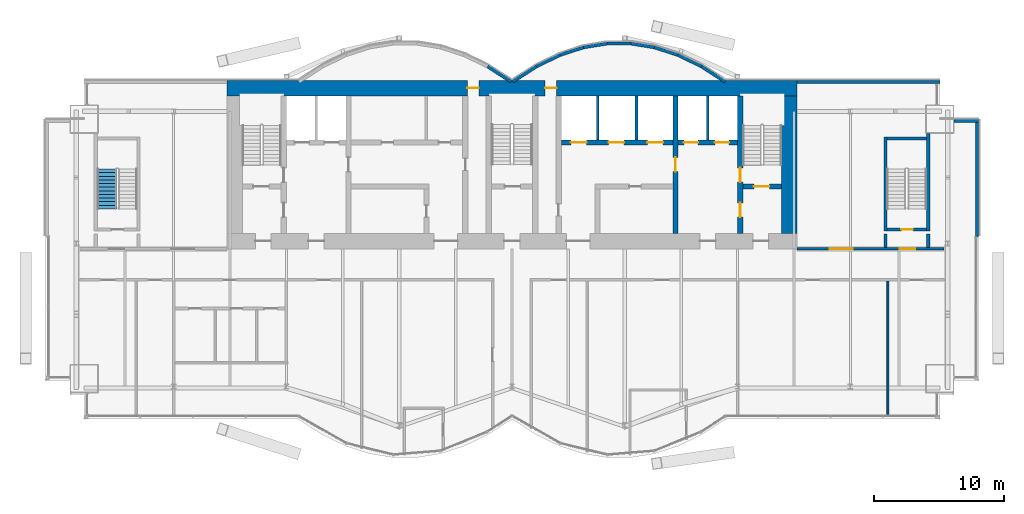
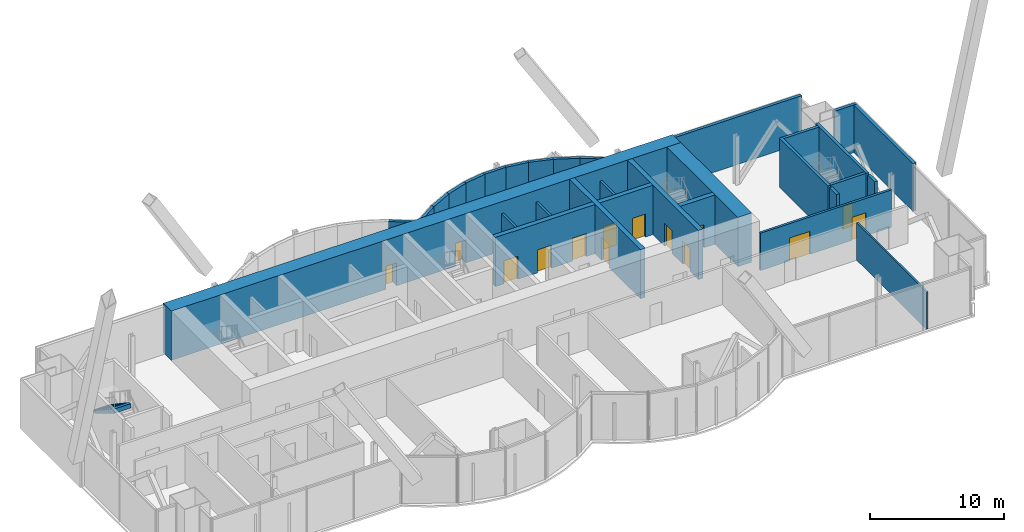
# One storey, part 18 of 22: 30 walls, 14 doors, 1 stair flight, 14 openings, 1 element without a shape of its own.
"""IFC4 building model written with IfcOpenShell, lengths in metres."""

from ifc_helpers import new_model, si_unit, direction, frame, frame_2d, origin, place, context, subcontext, project, spatial, polyline, rectangle, outline, extrude, material, layer, layer_set, layer_usage, type_object, element, fill, aggregate, save


model = new_model("IFC4")

# Units and contexts
model_context = context("Model", 3, precision=1e-05, world=origin(), true_north=direction((0.0, 1.0)))
body_context = subcontext(model_context, "Body", "Model", "MODEL_VIEW")
ifc_project = project(units=[si_unit("LENGTHUNIT", "METRE"), si_unit("AREAUNIT", "SQUARE_METRE"), si_unit("VOLUMEUNIT", "CUBIC_METRE"), si_unit("PLANEANGLEUNIT", "RADIAN"), si_unit("MASSUNIT", "GRAM", prefix="KILO")], contexts=[model_context])

# Site, building, storey
site_placement = place(None, origin())
site = spatial("IfcSite", under=ifc_project, at=site_placement, CompositionType="ELEMENT")
building_placement = place(site_placement, origin())
building = spatial("IfcBuilding", under=site, at=building_placement, Name="Bicima Exchange Tower", CompositionType="ELEMENT")
storey_placement = place(building_placement, frame((0.0, 0.0, 315.5)))
storey = spatial("IfcBuildingStorey", under=building, at=storey_placement, Name="L71", CompositionType="ELEMENT", Elevation=315.5)

# Walls
ifc_material_1 = material(Name="Gypsum board partition")
ifc_layer_1 = layer(ifc_material_1, 0.199951171875)
ifc_layer_set_1 = layer_set([ifc_layer_1], Name="Gypsum board partition")
wall_type_1 = type_object("IfcWallType", Name="Fire-rated gypsum partition 200 EI120", PredefinedType="PARTITIONING", material=ifc_layer_set_1)
for number, where, z_axis, x_axis, name in (
    (1, (6.60009765625, -4.60009765625, 0.0), (0.0, 0.0, 1.0), (0.0, 1.0, 0.0), "partition wall 18"),
    (2, (9.60009765625, -4.60009765625, 0.0), (0.0, 0.0, 1.0), (0.0, 1.0, 0.0), "partition wall 19"),
    (3, (15.10009765625, -4.60009765625, 0.0), (0.0, 0.0, 1.0), (0.0, 1.0, 0.0), "partition wall 21"),
):
    element("IfcWall", number, at=place(storey_placement, frame(where, z_axis=z_axis, x_axis=x_axis)), inside=storey, type_object=wall_type_1, Name=name, PredefinedType="PARTITIONING", context=body_context, shape_type="SweptSolid", body=[
        extrude(rectangle(XDim=3.400146484375, YDim=0.199951171875, at=frame_2d((1.7001953125, 0.0))), origin(), (0.0, 0.0, 1.0), 3.418212890625),
    ])

# Wall, openings, doors
ifc_layer_2 = layer(ifc_material_1, 0.199951171875)
ifc_layer_set_2 = layer_set([ifc_layer_2], Name="Gypsum board partition")
wall_type_2 = type_object("IfcWallType", Name="Fire-rated gypsum partition 200 EI60", PredefinedType="PARTITIONING", material=ifc_layer_set_2)
wall_1_placement = place(storey_placement, frame((22.0, -13.0, 0.0), z_axis=(0.0, 0.0, 1.0), x_axis=(1.0, 0.0, 0.0)))
wall_1 = element("IfcWall", 4, at=wall_1_placement, inside=storey, type_object=wall_type_2, Name="partition wall 8", PredefinedType="PARTITIONING", context=body_context, shape_type="SweptSolid", body=[
    extrude(rectangle(XDim=11.340087890625, YDim=0.199951171875, at=frame_2d((5.669921875, 0.0))), origin(), (0.0, 0.0, 1.0), 3.418212890625),
])
opening_1_placement = place(wall_1_placement, frame((7.89990234375, 0.0, 0.0)))
opening_1 = element("IfcOpeningElement", 5, at=opening_1_placement, cuts=wall_1, Name="Opening L71-003", PredefinedType="OPENING", context=body_context, shape_type="SweptSolid", body=[
    extrude(rectangle(XDim=1.199951171875, YDim=2.10009765625, at=frame_2d((0.60009765625, 1.050048828125))), frame((0.0, 0.11181640625, 0.0), z_axis=(0.0, -1.0, 0.0), x_axis=(1.0, 0.0, 0.0)), (0.0, 0.0, 1.0), 0.223876953125),
])
opening_2_placement = place(wall_1_placement, frame((2.5, 0.0, 0.0)))
opening_2 = element("IfcOpeningElement", 6, at=opening_2_placement, cuts=wall_1, Name="Opening L71-006", PredefinedType="OPENING", context=body_context, shape_type="SweptSolid", body=[
    extrude(rectangle(XDim=1.800048828125, YDim=2.10009765625, at=frame_2d((0.89990234375, 1.050048828125))), frame((0.0, 0.11181640625, 0.0), z_axis=(0.0, -1.0, 0.0), x_axis=(1.0, 0.0, 0.0)), (0.0, 0.0, 1.0), 0.223876953125),
])
ifc_material_2 = material(Name="Steel fire door leaf", Category="steel")
door_type_1 = type_object("IfcDoorType", Name="Door 1200 swing FD30S", OperationType="SINGLE_SWING_LEFT", PredefinedType="DOOR", material=ifc_material_2)
door_1_placement = place(opening_1_placement, origin())
door_1 = element("IfcDoor", 7, at=door_1_placement, inside=storey, type_object=door_type_1, Name="Door", OperationType="SINGLE_SWING_RIGHT", OverallHeight=2.10009765625, OverallWidth=1.199951171875, PredefinedType="DOOR", context=body_context, shape_type="SweptSolid", body=[
    extrude(rectangle(XDim=1.199951171875, YDim=2.10009765625, at=frame_2d((0.60009765625, 1.050048828125))), frame((0.0, 0.02490234375, 0.0), z_axis=(0.0, -1.0, 0.0), x_axis=(1.0, 0.0, 0.0)), (0.0, 0.0, 1.0), 0.050048828125),
])
fill(opening_1, door_1)
door_type_2 = type_object("IfcDoorType", Name="Door 1800 double swing FD30S", OperationType="DOUBLE_DOOR_SINGLE_SWING", PredefinedType="DOOR", material=ifc_material_2)
door_2_placement = place(opening_2_placement, origin())
door_2 = element("IfcDoor", 8, at=door_2_placement, inside=storey, type_object=door_type_2, Name="Door", OperationType="SINGLE_SWING_LEFT", OverallHeight=2.10009765625, OverallWidth=1.800048828125, PredefinedType="DOOR", context=body_context, shape_type="SweptSolid", body=[
    extrude(rectangle(XDim=1.800048828125, YDim=2.10009765625, at=frame_2d((0.89990234375, 1.050048828125))), frame((0.0, 0.02490234375, 0.0), z_axis=(0.0, -1.0, 0.0), x_axis=(1.0, 0.0, 0.0)), (0.0, 0.0, 1.0), 0.050048828125),
])
fill(opening_2, door_2)

# Wall
ifc_layer_3 = layer(ifc_material_1, 0.14990234375)
ifc_layer_set_3 = layer_set([ifc_layer_3], Name="Gypsum board partition")
wall_type_3 = type_object("IfcWallType", Name="Gypsum partition 150", PredefinedType="PARTITIONING", material=ifc_layer_set_3)
wall_2_placement = place(storey_placement, frame((29.0, -25.929931640625, 0.0), z_axis=(0.0, 0.0, 1.0), x_axis=(0.0, 1.0, 0.0)))
element("IfcWall", 9, at=wall_2_placement, inside=storey, type_object=wall_type_3, Name="partition wall 34", PredefinedType="PARTITIONING", context=body_context, shape_type="SweptSolid", body=[
    extrude(rectangle(XDim=10.429931640625, YDim=0.14990234375, at=frame_2d((5.21484375, 0.0))), origin(), (0.0, 0.0, 1.0), 3.418212890625),
])

# Wall, openings, doors
ifc_material_3 = material(Name="Concrete C40/50", Category="concrete")
ifc_layer_4 = layer(ifc_material_3, 1.199951171875)
ifc_layer_set_4 = layer_set([ifc_layer_4], Name="Concrete C40/50")
wall_type_4 = type_object("IfcWallType", Name="RC core wall 1200 C40/50", PredefinedType="SHEAR", material=ifc_layer_set_4)
wall_3_placement = place(storey_placement, frame((-22.0, -0.60009765625, 0.0), z_axis=(0.0, 0.0, 1.0), x_axis=(1.0, 0.0, 0.0)))
wall_3 = element("IfcWall", 10, at=wall_3_placement, inside=storey, type_object=wall_type_4, Name="Core wall north", PredefinedType="SHEAR", context=body_context, shape_type="SweptSolid", body=[
    extrude(rectangle(XDim=44.0, YDim=1.199951171875, at=frame_2d((22.0, 0.0))), origin(), (0.0, 0.0, 1.0), 4.5),
])
opening_3_placement = place(wall_3_placement, frame((18.550048828125, 0.0, 0.0)))
opening_3 = element("IfcOpeningElement", 11, at=opening_3_placement, cuts=wall_3, Name="Opening L71-C16", PredefinedType="OPENING", context=body_context, shape_type="SweptSolid", body=[
    extrude(rectangle(XDim=0.89990234375, YDim=2.10009765625, at=frame_2d((0.449951171875, 1.050048828125))), frame((0.0, 0.61181640625, 0.0), z_axis=(0.0, -1.0, 0.0), x_axis=(1.0, 0.0, 0.0)), (0.0, 0.0, 1.0), 1.223876953125),
])
opening_4_placement = place(wall_3_placement, frame((24.550048828125, 0.0, 0.0)))
opening_4 = element("IfcOpeningElement", 12, at=opening_4_placement, cuts=wall_3, Name="Opening L71-C17", PredefinedType="OPENING", context=body_context, shape_type="SweptSolid", body=[
    extrude(rectangle(XDim=0.89990234375, YDim=2.10009765625, at=frame_2d((0.449951171875, 1.050048828125))), frame((0.0, 0.61181640625, 0.0), z_axis=(0.0, -1.0, 0.0), x_axis=(1.0, 0.0, 0.0)), (0.0, 0.0, 1.0), 1.223876953125),
])
door_type_3 = type_object("IfcDoorType", Name="Door 900 swing FD30S", OperationType="SINGLE_SWING_LEFT", PredefinedType="DOOR", material=ifc_material_2)
door_3_placement = place(opening_3_placement, origin())
door_3 = element("IfcDoor", 13, at=door_3_placement, inside=storey, type_object=door_type_3, Name="Core door", OperationType="SINGLE_SWING_LEFT", OverallHeight=2.10009765625, OverallWidth=0.89990234375, PredefinedType="DOOR", context=body_context, shape_type="SweptSolid", body=[
    extrude(rectangle(XDim=0.89990234375, YDim=2.10009765625, at=frame_2d((0.449951171875, 1.050048828125))), frame((0.0, 0.02490234375, 0.0), z_axis=(0.0, -1.0, 0.0), x_axis=(1.0, 0.0, 0.0)), (0.0, 0.0, 1.0), 0.050048828125),
])
fill(opening_3, door_3)
door_4_placement = place(opening_4_placement, origin())
door_4 = element("IfcDoor", 14, at=door_4_placement, inside=storey, type_object=door_type_3, Name="Core door", OperationType="SINGLE_SWING_LEFT", OverallHeight=2.10009765625, OverallWidth=0.89990234375, PredefinedType="DOOR", context=body_context, shape_type="SweptSolid", body=[
    extrude(rectangle(XDim=0.89990234375, YDim=2.10009765625, at=frame_2d((0.449951171875, 1.050048828125))), frame((0.0, 0.02490234375, 0.0), z_axis=(0.0, -1.0, 0.0), x_axis=(1.0, 0.0, 0.0)), (0.0, 0.0, 1.0), 0.050048828125),
])
fill(opening_4, door_4)

# Walls
wall_4_placement = place(storey_placement, frame((21.39990234375, -11.800048828125, 0.0), z_axis=(0.0, 0.0, 1.0), x_axis=(0.0, 1.0, 0.0)))
element("IfcWall", 15, at=wall_4_placement, inside=storey, type_object=wall_type_4, Name="Core wall east", PredefinedType="SHEAR", context=body_context, shape_type="SweptSolid", body=[
    extrude(rectangle(XDim=10.60009765625, YDim=1.199951171875, at=frame_2d((5.300048828125, 0.0))), origin(), (0.0, 0.0, 1.0), 4.5),
])
ifc_material_4 = material(Name="Concrete C50/60", Category="concrete")
ifc_layer_5 = layer(ifc_material_4, 0.25)
ifc_layer_set_5 = layer_set([ifc_layer_5], Name="Concrete C50/60")
wall_type_5 = type_object("IfcWallType", Name="RC core wall 250 C50/60", PredefinedType="SHEAR", material=ifc_layer_set_5)
for number, where, z_axis, x_axis, name in (
    (16, (28.800048828125, -12.89990234375, 0.0), (0.0, 0.0, 1.0), (0.0, 1.0, 0.0), "stair wall 33"),
    (17, (32.10009765625, -12.89990234375, 0.0), (0.0, 0.0, 1.0), (0.0, 1.0, 0.0), "stair wall 35"),
):
    element("IfcWall", number, at=place(storey_placement, frame(where, z_axis=z_axis, x_axis=x_axis)), inside=storey, type_object=wall_type_5, Name=name, PredefinedType="SHEAR", context=body_context, shape_type="SweptSolid", body=[
        extrude(rectangle(XDim=1.0498046875, YDim=0.25, at=frame_2d((0.52490234375, 0.0))), origin(), (0.0, 0.0, 1.0), 4.5),
    ])

# Wall, openings, doors
ifc_layer_6 = layer(ifc_material_3, 0.39990234375)
ifc_layer_set_6 = layer_set([ifc_layer_6], Name="Concrete C40/50")
wall_type_6 = type_object("IfcWallType", Name="RC core wall 400 C40/50", PredefinedType="SHEAR", material=ifc_layer_set_6)
wall_5_placement = place(storey_placement, frame((3.800048828125, -4.800048828125, 0.0), z_axis=(0.0, 0.0, 1.0), x_axis=(1.0, 0.0, 0.0)))
wall_5 = element("IfcWall", 18, at=wall_5_placement, inside=storey, type_object=wall_type_6, Name="shear wall 7", PredefinedType="SHEAR", context=body_context, shape_type="SweptSolid", body=[
    extrude(rectangle(XDim=13.599853515625, YDim=0.39990234375, at=frame_2d((6.7998046875, 0.0))), origin(), (0.0, 0.0, 1.0), 4.5),
])
opening_5_placement = place(wall_5_placement, frame((0.75, 0.0, 0.0)))
opening_5 = element("IfcOpeningElement", 19, at=opening_5_placement, cuts=wall_5, Name="Opening LD-HB1-L71", PredefinedType="OPENING", context=body_context, shape_type="SweptSolid", body=[
    extrude(rectangle(XDim=1.199951171875, YDim=2.10009765625, at=frame_2d((0.60009765625, 1.050048828125))), frame((0.0, 0.2119140625, 0.0), z_axis=(0.0, -1.0, 0.0), x_axis=(1.0, 0.0, 0.0)), (0.0, 0.0, 1.0), 0.423828125),
])
opening_6_placement = place(wall_5_placement, frame((3.64990234375, 0.0, 0.0)))
opening_6 = element("IfcOpeningElement", 20, at=opening_6_placement, cuts=wall_5, Name="Opening LD-HB2-L71", PredefinedType="OPENING", context=body_context, shape_type="SweptSolid", body=[
    extrude(rectangle(XDim=1.199951171875, YDim=2.10009765625, at=frame_2d((0.60009765625, 1.050048828125))), frame((0.0, 0.2119140625, 0.0), z_axis=(0.0, -1.0, 0.0), x_axis=(1.0, 0.0, 0.0)), (0.0, 0.0, 1.0), 0.423828125),
])
opening_7_placement = place(wall_5_placement, frame((6.64990234375, 0.0, 0.0)))
opening_7 = element("IfcOpeningElement", 21, at=opening_7_placement, cuts=wall_5, Name="Opening LD-HB3-L71", PredefinedType="OPENING", context=body_context, shape_type="SweptSolid", body=[
    extrude(rectangle(XDim=1.199951171875, YDim=2.10009765625, at=frame_2d((0.60009765625, 1.050048828125))), frame((0.0, 0.2119140625, 0.0), z_axis=(0.0, -1.0, 0.0), x_axis=(1.0, 0.0, 0.0)), (0.0, 0.0, 1.0), 0.423828125),
])
opening_8_placement = place(wall_5_placement, frame((9.449951171875, 0.0, 0.0)))
opening_8 = element("IfcOpeningElement", 22, at=opening_8_placement, cuts=wall_5, Name="Opening LD-FF2-L71", PredefinedType="OPENING", context=body_context, shape_type="SweptSolid", body=[
    extrude(rectangle(XDim=1.10009765625, YDim=2.10009765625, at=frame_2d((0.550048828125, 1.050048828125))), frame((0.0, 0.2119140625, 0.0), z_axis=(0.0, -1.0, 0.0), x_axis=(1.0, 0.0, 0.0)), (0.0, 0.0, 1.0), 0.423828125),
])
opening_9_placement = place(wall_5_placement, frame((11.85009765625, 0.0, 0.0)))
opening_9 = element("IfcOpeningElement", 23, at=opening_9_placement, cuts=wall_5, Name="Opening LD-SV1-L71", PredefinedType="OPENING", context=body_context, shape_type="SweptSolid", body=[
    extrude(rectangle(XDim=1.10009765625, YDim=2.10009765625, at=frame_2d((0.550048828125, 1.050048828125))), frame((0.0, 0.2119140625, 0.0), z_axis=(0.0, -1.0, 0.0), x_axis=(1.0, 0.0, 0.0)), (0.0, 0.0, 1.0), 0.423828125),
])
ifc_material_5 = material(Name="Stainless steel", Category="steel")
door_type_4 = type_object("IfcDoorType", Name="Lift landing door 1100 sliding", OperationType="DOUBLE_DOOR_SLIDING", PredefinedType="DOOR", material=ifc_material_5)
door_5_placement = place(opening_8_placement, origin())
door_5 = element("IfcDoor", 24, at=door_5_placement, inside=storey, type_object=door_type_4, Name="Lift landing door FF2", OperationType="DOUBLE_DOOR_SLIDING", OverallHeight=2.10009765625, OverallWidth=1.10009765625, PredefinedType="DOOR", context=body_context, shape_type="SweptSolid", body=[
    extrude(rectangle(XDim=1.10009765625, YDim=2.10009765625, at=frame_2d((0.550048828125, 1.050048828125))), frame((0.0, 0.02490234375, 0.0), z_axis=(0.0, -1.0, 0.0), x_axis=(1.0, 0.0, 0.0)), (0.0, 0.0, 1.0), 0.050048828125),
])
fill(opening_8, door_5)
door_6_placement = place(opening_9_placement, origin())
door_6 = element("IfcDoor", 25, at=door_6_placement, inside=storey, type_object=door_type_4, Name="Lift landing door SV1", OperationType="DOUBLE_DOOR_SLIDING", OverallHeight=2.10009765625, OverallWidth=1.10009765625, PredefinedType="DOOR", context=body_context, shape_type="SweptSolid", body=[
    extrude(rectangle(XDim=1.10009765625, YDim=2.10009765625, at=frame_2d((0.550048828125, 1.050048828125))), frame((0.0, 0.02490234375, 0.0), z_axis=(0.0, -1.0, 0.0), x_axis=(1.0, 0.0, 0.0)), (0.0, 0.0, 1.0), 0.050048828125),
])
fill(opening_9, door_6)
door_type_5 = type_object("IfcDoorType", Name="Lift landing door 1200 sliding", OperationType="DOUBLE_DOOR_SLIDING", PredefinedType="DOOR", material=ifc_material_5)
door_7_placement = place(opening_5_placement, origin())
door_7 = element("IfcDoor", 26, at=door_7_placement, inside=storey, type_object=door_type_5, Name="Lift landing door HB1", OperationType="DOUBLE_DOOR_SLIDING", OverallHeight=2.10009765625, OverallWidth=1.199951171875, PredefinedType="DOOR", context=body_context, shape_type="SweptSolid", body=[
    extrude(rectangle(XDim=1.199951171875, YDim=2.10009765625, at=frame_2d((0.60009765625, 1.050048828125))), frame((0.0, 0.02490234375, 0.0), z_axis=(0.0, -1.0, 0.0), x_axis=(1.0, 0.0, 0.0)), (0.0, 0.0, 1.0), 0.050048828125),
])
fill(opening_5, door_7)
door_8_placement = place(opening_6_placement, origin())
door_8 = element("IfcDoor", 27, at=door_8_placement, inside=storey, type_object=door_type_5, Name="Lift landing door HB2", OperationType="DOUBLE_DOOR_SLIDING", OverallHeight=2.10009765625, OverallWidth=1.199951171875, PredefinedType="DOOR", context=body_context, shape_type="SweptSolid", body=[
    extrude(rectangle(XDim=1.199951171875, YDim=2.10009765625, at=frame_2d((0.60009765625, 1.050048828125))), frame((0.0, 0.02490234375, 0.0), z_axis=(0.0, -1.0, 0.0), x_axis=(1.0, 0.0, 0.0)), (0.0, 0.0, 1.0), 0.050048828125),
])
fill(opening_6, door_8)
door_9_placement = place(opening_7_placement, origin())
door_9 = element("IfcDoor", 28, at=door_9_placement, inside=storey, type_object=door_type_5, Name="Lift landing door HB3", OperationType="DOUBLE_DOOR_SLIDING", OverallHeight=2.10009765625, OverallWidth=1.199951171875, PredefinedType="DOOR", context=body_context, shape_type="SweptSolid", body=[
    extrude(rectangle(XDim=1.199951171875, YDim=2.10009765625, at=frame_2d((0.60009765625, 1.050048828125))), frame((0.0, 0.02490234375, 0.0), z_axis=(0.0, -1.0, 0.0), x_axis=(1.0, 0.0, 0.0)), (0.0, 0.0, 1.0), 0.050048828125),
])
fill(opening_7, door_9)

# Wall, opening, door
wall_6_placement = place(storey_placement, frame((12.60009765625, -11.800048828125, 0.0), z_axis=(0.0, 0.0, 1.0), x_axis=(0.0, 1.0, 0.0)))
wall_6 = element("IfcWall", 29, at=wall_6_placement, inside=storey, type_object=wall_type_6, Name="shear wall 20", PredefinedType="SHEAR", context=body_context, shape_type="SweptSolid", body=[
    extrude(rectangle(XDim=10.60009765625, YDim=0.39990234375, at=frame_2d((5.300048828125, 0.0))), origin(), (0.0, 0.0, 1.0), 4.5),
])
opening_10_placement = place(wall_6_placement, frame((4.75, 0.0, 0.0)))
opening_10 = element("IfcOpeningElement", 30, at=opening_10_placement, cuts=wall_6, Name="Opening L71-C09", PredefinedType="OPENING", context=body_context, shape_type="SweptSolid", body=[
    extrude(rectangle(XDim=1.10009765625, YDim=2.10009765625, at=frame_2d((0.550048828125, 1.050048828125))), frame((0.0, 0.2119140625, 0.0), z_axis=(0.0, -1.0, 0.0), x_axis=(1.0, 0.0, 0.0)), (0.0, 0.0, 1.0), 0.423828125),
])
door_type_6 = type_object("IfcDoorType", Name="Door 1100 swing FD60S", OperationType="SINGLE_SWING_LEFT", PredefinedType="DOOR", material=ifc_material_2)
door_10_placement = place(opening_10_placement, frame((1.10009765625, 0.0, 0.0), z_axis=(0.0, 0.0, 1.0), x_axis=(-1.0, 0.0, 0.0)))
door_10 = element("IfcDoor", 31, at=door_10_placement, inside=storey, type_object=door_type_6, Name="Core door", OperationType="SINGLE_SWING_RIGHT", OverallHeight=2.10009765625, OverallWidth=1.10009765625, PredefinedType="DOOR", context=body_context, shape_type="SweptSolid", body=[
    extrude(rectangle(XDim=1.10009765625, YDim=2.10009765625, at=frame_2d((0.550048828125, 1.050048828125))), frame((0.0, 0.02490234375, 0.0), z_axis=(0.0, -1.0, 0.0), x_axis=(1.0, 0.0, 0.0)), (0.0, 0.0, 1.0), 0.050048828125),
])
fill(opening_10, door_10)

ifc_layer_7 = layer(ifc_material_4, 0.39990234375)
ifc_layer_set_7 = layer_set([ifc_layer_7], Name="Concrete C50/60")
wall_type_7 = type_object("IfcWallType", Name="RC core wall 400 C50/60", PredefinedType="SHEAR", material=ifc_layer_set_7)
wall_7_placement = place(storey_placement, frame((17.800048828125, -8.199951171875, 0.0), z_axis=(0.0, 0.0, 1.0), x_axis=(1.0, 0.0, 0.0)))
wall_7 = element("IfcWall", 32, at=wall_7_placement, inside=storey, type_object=wall_type_7, Name="stair wall 5", PredefinedType="SHEAR", context=body_context, shape_type="SweptSolid", body=[
    extrude(rectangle(XDim=3.0, YDim=0.39990234375, at=frame_2d((1.5, 0.0))), origin(), (0.0, 0.0, 1.0), 4.5),
])
opening_11_placement = place(wall_7_placement, frame((0.85009765625, 0.0, 0.0)))
opening_11 = element("IfcOpeningElement", 33, at=opening_11_placement, cuts=wall_7, Name="Opening L71-C04", PredefinedType="OPENING", context=body_context, shape_type="SweptSolid", body=[
    extrude(rectangle(XDim=1.199951171875, YDim=2.10009765625, at=frame_2d((0.60009765625, 1.050048828125))), frame((0.0, 0.2119140625, 0.0), z_axis=(0.0, -1.0, 0.0), x_axis=(1.0, 0.0, 0.0)), (0.0, 0.0, 1.0), 0.423828125),
])
door_type_7 = type_object("IfcDoorType", Name="Door 1200 swing FD60S", OperationType="SINGLE_SWING_LEFT", PredefinedType="DOOR", material=ifc_material_2)
door_11_placement = place(opening_11_placement, origin())
door_11 = element("IfcDoor", 34, at=door_11_placement, inside=storey, type_object=door_type_7, Name="Core door", OperationType="SINGLE_SWING_RIGHT", OverallHeight=2.10009765625, OverallWidth=1.199951171875, PredefinedType="DOOR", context=body_context, shape_type="SweptSolid", body=[
    extrude(rectangle(XDim=1.199951171875, YDim=2.10009765625, at=frame_2d((0.60009765625, 1.050048828125))), frame((0.0, 0.02490234375, 0.0), z_axis=(0.0, -1.0, 0.0), x_axis=(1.0, 0.0, 0.0)), (0.0, 0.0, 1.0), 0.050048828125),
])
fill(opening_11, door_11)

# Wall, openings, doors
wall_8_placement = place(storey_placement, frame((17.60009765625, -11.800048828125, 0.0), z_axis=(0.0, 0.0, 1.0), x_axis=(0.0, 1.0, 0.0)))
wall_8 = element("IfcWall", 35, at=wall_8_placement, inside=storey, type_object=wall_type_7, Name="stair wall 22", PredefinedType="SHEAR", context=body_context, shape_type="SweptSolid", body=[
    extrude(rectangle(XDim=10.60009765625, YDim=0.39990234375, at=frame_2d((5.300048828125, 0.0))), origin(), (0.0, 0.0, 1.0), 4.5),
])
opening_12_placement = place(wall_8_placement, frame((1.25, 0.0, 0.0)))
opening_12 = element("IfcOpeningElement", 36, at=opening_12_placement, cuts=wall_8, Name="Opening L71-C05", PredefinedType="OPENING", context=body_context, shape_type="SweptSolid", body=[
    extrude(rectangle(XDim=1.10009765625, YDim=2.10009765625, at=frame_2d((0.550048828125, 1.050048828125))), frame((0.0, 0.2119140625, 0.0), z_axis=(0.0, -1.0, 0.0), x_axis=(1.0, 0.0, 0.0)), (0.0, 0.0, 1.0), 0.423828125),
])
opening_13_placement = place(wall_8_placement, frame((3.949951171875, 0.0, 0.0)))
opening_13 = element("IfcOpeningElement", 37, at=opening_13_placement, cuts=wall_8, Name="Opening L71-C08", PredefinedType="OPENING", context=body_context, shape_type="SweptSolid", body=[
    extrude(rectangle(XDim=1.10009765625, YDim=2.10009765625, at=frame_2d((0.550048828125, 1.050048828125))), frame((0.0, 0.2119140625, 0.0), z_axis=(0.0, -1.0, 0.0), x_axis=(1.0, 0.0, 0.0)), (0.0, 0.0, 1.0), 0.423828125),
])
door_12_placement = place(opening_12_placement, origin())
door_12 = element("IfcDoor", 38, at=door_12_placement, inside=storey, type_object=door_type_6, Name="Core door", OperationType="SINGLE_SWING_LEFT", OverallHeight=2.10009765625, OverallWidth=1.10009765625, PredefinedType="DOOR", context=body_context, shape_type="SweptSolid", body=[
    extrude(rectangle(XDim=1.10009765625, YDim=2.10009765625, at=frame_2d((0.550048828125, 1.050048828125))), frame((0.0, 0.02490234375, 0.0), z_axis=(0.0, -1.0, 0.0), x_axis=(1.0, 0.0, 0.0)), (0.0, 0.0, 1.0), 0.050048828125),
])
fill(opening_12, door_12)
door_13_placement = place(opening_13_placement, origin())
door_13 = element("IfcDoor", 39, at=door_13_placement, inside=storey, type_object=door_type_6, Name="Core door", OperationType="SINGLE_SWING_RIGHT", OverallHeight=2.10009765625, OverallWidth=1.10009765625, PredefinedType="DOOR", context=body_context, shape_type="SweptSolid", body=[
    extrude(rectangle(XDim=1.10009765625, YDim=2.10009765625, at=frame_2d((0.550048828125, 1.050048828125))), frame((0.0, 0.02490234375, 0.0), z_axis=(0.0, -1.0, 0.0), x_axis=(1.0, 0.0, 0.0)), (0.0, 0.0, 1.0), 0.050048828125),
])
fill(opening_13, door_13)

# Walls
ifc_layer_8 = layer(ifc_material_4, 0.25)
ifc_layer_set_8 = layer_set([ifc_layer_8], Name="Concrete C50/60")
wall_type_8 = type_object("IfcWallType", Name="RC stair enclosure wall 250 C50/60", PredefinedType="SHEAR", material=ifc_layer_set_8)
wall_9_placement = place(storey_placement, frame((28.800048828125, -11.625, 0.0), z_axis=(0.0, 0.0, 1.0), x_axis=(0.0, 1.0, 0.0)))
element("IfcWall", 40, at=wall_9_placement, inside=storey, type_object=wall_type_8, Name="East end exit stair wall W", PredefinedType="SHEAR", context=body_context, shape_type="SweptSolid", body=[
    extrude(rectangle(XDim=7.25, YDim=0.25, at=frame_2d((3.625, 0.0))), origin(), (0.0, 0.0, 1.0), 4.5),
])
wall_10_placement = place(storey_placement, frame((32.10009765625, -11.625, 0.0), z_axis=(0.0, 0.0, 1.0), x_axis=(0.0, 1.0, 0.0)))
element("IfcWall", 41, at=wall_10_placement, inside=storey, type_object=wall_type_8, Name="East end exit stair wall E", PredefinedType="SHEAR", context=body_context, shape_type="SweptSolid", body=[
    extrude(rectangle(XDim=7.52490234375, YDim=0.25, at=frame_2d((3.762451171875, 0.0))), origin(), (0.0, 0.0, 1.0), 4.5),
])

# Wall, opening, door
wall_11_placement = place(storey_placement, frame((28.925048828125, -11.5, 0.0), z_axis=(0.0, 0.0, 1.0), x_axis=(1.0, 0.0, 0.0)))
wall_11 = element("IfcWall", 42, at=wall_11_placement, inside=storey, type_object=wall_type_8, Name="East end exit stair wall S", PredefinedType="SHEAR", context=body_context, shape_type="SweptSolid", body=[
    extrude(rectangle(XDim=3.050048828125, YDim=0.25, at=frame_2d((1.52490234375, 0.0))), origin(), (0.0, 0.0, 1.0), 4.5),
])
opening_14_placement = place(wall_11_placement, frame((1.10009765625, 0.0, 0.0)))
opening_14 = element("IfcOpeningElement", 43, at=opening_14_placement, cuts=wall_11, Name="Opening L71-004", PredefinedType="OPENING", context=body_context, shape_type="SweptSolid", body=[
    extrude(rectangle(XDim=0.89990234375, YDim=2.10009765625, at=frame_2d((0.449951171875, 1.050048828125))), frame((0.0, 0.136962890625, 0.0), z_axis=(0.0, -1.0, 0.0), x_axis=(1.0, 0.0, 0.0)), (0.0, 0.0, 1.0), 0.27392578125),
])
door_type_8 = type_object("IfcDoorType", Name="Door 900 swing FD60S", OperationType="SINGLE_SWING_LEFT", PredefinedType="DOOR", material=ifc_material_2)
door_14_placement = place(opening_14_placement, origin())
door_14 = element("IfcDoor", 44, at=door_14_placement, inside=storey, type_object=door_type_8, Name="Door", OperationType="SINGLE_SWING_LEFT", OverallHeight=2.10009765625, OverallWidth=0.89990234375, PredefinedType="DOOR", context=body_context, shape_type="SweptSolid", body=[
    extrude(rectangle(XDim=0.89990234375, YDim=2.10009765625, at=frame_2d((0.449951171875, 1.050048828125))), frame((0.0, 0.02490234375, 0.0), z_axis=(0.0, -1.0, 0.0), x_axis=(1.0, 0.0, 0.0)), (0.0, 0.0, 1.0), 0.050048828125),
])
fill(opening_14, door_14)

# Walls
wall_12_placement = place(storey_placement, frame((28.925048828125, -4.5, 0.0), z_axis=(0.0, 0.0, 1.0), x_axis=(1.0, 0.0, 0.0)))
element("IfcWall", 45, at=wall_12_placement, inside=storey, type_object=wall_type_8, Name="East end exit stair wall N", PredefinedType="SHEAR", context=body_context, shape_type="SweptSolid", body=[
    extrude(rectangle(XDim=3.050048828125, YDim=0.25, at=frame_2d((1.52490234375, 0.0))), origin(), (0.0, 0.0, 1.0), 4.5),
])
ifc_layer_9 = layer(ifc_material_3, 0.25)
ifc_layer_set_9 = layer_set([ifc_layer_9], Name="Concrete C40/50")
ifc_layer_usage = layer_usage(ifc_layer_set_9, "AXIS2", "POSITIVE", -0.125)
wall_type_9 = type_object("IfcWallType", Name="Rear backup wall 250", PredefinedType="STANDARD", material=ifc_layer_set_9)
wall_13_placement = place(storey_placement, frame((33.0, -0.125, 0.0), z_axis=(0.0, 0.0, 1.0), x_axis=(-1.0, 0.0, 0.0)))
element("IfcWall", 46, at=wall_13_placement, inside=storey, type_object=wall_type_9, material=ifc_layer_usage, Name="Rear backup wall L71 1", PredefinedType="STANDARD", context=body_context, shape_type="SweptSolid", body=[
    extrude(rectangle(XDim=11.0, YDim=0.25, at=frame_2d((5.5, 0.0))), origin(), (0.0, 0.0, 1.0), 4.35009765625),
])
wall_14_placement = place(storey_placement, frame((16.43212890625, -0.10498046875, 0.0), z_axis=(0.0, 0.0, 1.0), x_axis=(-0.83981312244, 0.542875602121, 0.0)))
element("IfcWall", 47, at=wall_14_placement, inside=storey, type_object=wall_type_9, material=ifc_layer_usage, Name="Rear backup wall L71 2", PredefinedType="STANDARD", context=body_context, shape_type="SweptSolid", body=[
    extrude(rectangle(XDim=2.182861328125, YDim=0.25, at=frame_2d((1.09130859375, 0.0))), origin(), (0.0, 0.0, 1.0), 4.35009765625),
])
wall_15_placement = place(storey_placement, frame((14.6123046875, 1.07275390625, 0.0), z_axis=(0.0, 0.0, 1.0), x_axis=(-0.89982408427, 0.436252928206, 0.0)))
element("IfcWall", 48, at=wall_15_placement, inside=storey, type_object=wall_type_9, material=ifc_layer_usage, Name="Rear backup wall L71 3", PredefinedType="STANDARD", context=body_context, shape_type="SweptSolid", body=[
    extrude(rectangle(XDim=2.03759765625, YDim=0.25, at=frame_2d((1.018798828125, 0.0))), origin(), (0.0, 0.0, 1.0), 4.35009765625),
])
wall_16_placement = place(storey_placement, frame((12.794921875, 1.955078125, 0.0), z_axis=(0.0, 0.0, 1.0), x_axis=(-0.951495806175, 0.307661714928, 0.0)))
element("IfcWall", 49, at=wall_16_placement, inside=storey, type_object=wall_type_9, material=ifc_layer_usage, Name="Rear backup wall L71 4", PredefinedType="STANDARD", context=body_context, shape_type="SweptSolid", body=[
    extrude(rectangle(XDim=1.9267578125, YDim=0.25, at=frame_2d((0.96337890625, 0.0))), origin(), (0.0, 0.0, 1.0), 4.35009765625),
])
wall_17_placement = place(storey_placement, frame((10.97998046875, 2.543212890625, 0.0), z_axis=(0.0, 0.0, 1.0), x_axis=(-0.987181718931, 0.159600293885, 0.0)))
element("IfcWall", 50, at=wall_17_placement, inside=storey, type_object=wall_type_9, material=ifc_layer_usage, Name="Rear backup wall L71 5", PredefinedType="STANDARD", context=body_context, shape_type="SweptSolid", body=[
    extrude(rectangle(XDim=1.857177734375, YDim=0.25, at=frame_2d((0.9287109375, 0.0))), origin(), (0.0, 0.0, 1.0), 4.35009765625),
])
wall_18_placement = place(storey_placement, frame((9.166748046875, 2.837890625, 0.0), z_axis=(0.0, 0.0, 1.0), x_axis=(-1.0, 0.0, 0.0)))
element("IfcWall", 51, at=wall_18_placement, inside=storey, type_object=wall_type_9, material=ifc_layer_usage, Name="Rear backup wall L71 6", PredefinedType="STANDARD", context=body_context, shape_type="SweptSolid", body=[
    extrude(rectangle(XDim=1.83349609375, YDim=0.25, at=frame_2d((0.916748046875, 0.0))), origin(), (0.0, 0.0, 1.0), 4.35009765625),
])
wall_19_placement = place(storey_placement, frame((7.353271484375, 2.839599609375, 0.0), z_axis=(0.0, 0.0, 1.0), x_axis=(-0.987181718931, -0.159600293885, 0.0)))
element("IfcWall", 52, at=wall_19_placement, inside=storey, type_object=wall_type_9, material=ifc_layer_usage, Name="Rear backup wall L71 7", PredefinedType="STANDARD", context=body_context, shape_type="SweptSolid", body=[
    extrude(rectangle(XDim=1.857177734375, YDim=0.25, at=frame_2d((0.9287109375, 0.0))), origin(), (0.0, 0.0, 1.0), 4.35009765625),
])
wall_20_placement = place(storey_placement, frame((5.538330078125, 2.5478515625, 0.0), z_axis=(0.0, 0.0, 1.0), x_axis=(-0.951495806175, -0.307661714928, 0.0)))
element("IfcWall", 53, at=wall_20_placement, inside=storey, type_object=wall_type_9, material=ifc_layer_usage, Name="Rear backup wall L71 8", PredefinedType="STANDARD", context=body_context, shape_type="SweptSolid", body=[
    extrude(rectangle(XDim=1.9267578125, YDim=0.25, at=frame_2d((0.96337890625, 0.0))), origin(), (0.0, 0.0, 1.0), 4.35009765625),
])
wall_21_placement = place(storey_placement, frame((3.72119140625, 1.961669921875, 0.0), z_axis=(0.0, 0.0, 1.0), x_axis=(-0.89982408427, -0.436252928206, 0.0)))
element("IfcWall", 54, at=wall_21_placement, inside=storey, type_object=wall_type_9, material=ifc_layer_usage, Name="Rear backup wall L71 9", PredefinedType="STANDARD", context=body_context, shape_type="SweptSolid", body=[
    extrude(rectangle(XDim=2.03759765625, YDim=0.25, at=frame_2d((1.018798828125, 0.0))), origin(), (0.0, 0.0, 1.0), 4.35009765625),
])
for number, where, z_axis, x_axis, name in (
    (55, (1.901123046875, 1.080078125, 0.0), (0.0, 0.0, 1.0), (-0.83981312244, -0.542875602121, 0.0), "Rear backup wall L71 10"),
    (56, (-0.06787109375, -0.10498046875, 0.0), (0.0, 0.0, 1.0), (-0.83981312244, 0.542875602121, 0.0), "Rear backup wall L71 11"),
):
    element("IfcWall", number, at=place(storey_placement, frame(where, z_axis=z_axis, x_axis=x_axis)), inside=storey, type_object=wall_type_9, material=ifc_layer_usage, Name=name, PredefinedType="STANDARD", context=body_context, shape_type="SweptSolid", body=[
        extrude(rectangle(XDim=2.182861328125, YDim=0.25, at=frame_2d((1.09130859375, 0.0))), origin(), (0.0, 0.0, 1.0), 4.35009765625),
    ])
wall_22_placement = place(storey_placement, frame((35.875, -12.090087890625, 0.0), z_axis=(0.0, 0.0, 1.0), x_axis=(0.0, 1.0, 0.0)))
element("IfcWall", 57, at=wall_22_placement, inside=storey, type_object=wall_type_9, material=ifc_layer_usage, Name="Rear backup wall L71 50", PredefinedType="STANDARD", context=body_context, shape_type="SweptSolid", body=[
    extrude(rectangle(XDim=9.090087890625, YDim=0.25, at=frame_2d((4.544921875, 0.0))), origin(), (0.0, 0.0, 1.0), 4.35009765625),
])
wall_23_placement = place(storey_placement, frame((36.0, -3.125, 0.0), z_axis=(0.0, 0.0, 1.0), x_axis=(-1.0, 0.0, 0.0)))
element("IfcWall", 58, at=wall_23_placement, inside=storey, type_object=wall_type_9, material=ifc_layer_usage, Name="Rear backup wall L71 51", PredefinedType="STANDARD", context=body_context, shape_type="SweptSolid", body=[
    extrude(rectangle(XDim=1.89990234375, YDim=0.25, at=frame_2d((0.949951171875, 0.0))), origin(), (0.0, 0.0, 1.0), 4.35009765625),
])

# Stair, stair flight
stair_type = type_object("IfcStairType", Name="Exit stair", PredefinedType="HALF_TURN_STAIR", material=ifc_material_4)
stair_placement = place(storey_placement, origin())
stair = element("IfcStair", 59, at=stair_placement, inside=storey, type_object=stair_type, Name="L71 West end exit stair", PredefinedType="HALF_TURN_STAIR")
stair_flight_type = type_object("IfcStairFlightType", Name="Stair flight RC", PredefinedType="STRAIGHT", material=ifc_material_4)
stair_flight_placement = place(storey_placement, frame((-31.25, -6.844970703125, 2.25), z_axis=(0.0, 0.0, 1.0), x_axis=(0.0, -1.0, 0.0)))
stair_flight = element("IfcStairFlight", 60, at=stair_flight_placement, type_object=stair_flight_type, Name="ST-WW flight 2", NumberOfRisers=12, NumberOfTreads=11, PredefinedType="STRAIGHT", RiserHeight=0.1875, TreadLength=0.28, context=body_context, shape_type="SweptSolid", body=[
    extrude(outline(polyline([(0.0, 0.0), (0.0, 0.1875), (0.280029296875, 0.1875), (0.280029296875, 0.375), (0.56005859375, 0.375), (0.56005859375, 0.5625), (0.840087890625, 0.5625), (0.840087890625, 0.75), (1.1201171875, 0.75), (1.1201171875, 0.9375), (1.39990234375, 0.9375), (1.39990234375, 1.125), (1.679931640625, 1.125), (1.679931640625, 1.3125), (1.9599609375, 1.3125), (1.9599609375, 1.5), (2.239990234375, 1.5), (2.239990234375, 1.6875), (2.52001953125, 1.6875), (2.52001953125, 1.875), (2.800048828125, 1.875), (2.800048828125, 2.0625), (3.080078125, 2.0625), (3.080078125, 2.10400390625), (3.094970703125, 2.10400390625), (3.094970703125, 1.70458984375), (0.26953125, 0.0), (0.0, 0.0)])), frame((0.0, 0.72509765625, 0.0), z_axis=(0.0, -1.0, 0.0), x_axis=(1.0, 0.0, 0.0)), (0.0, 0.0, 1.0), 1.449951171875),
])
aggregate(stair, [stair_flight])

save(model, "model.ifc")
